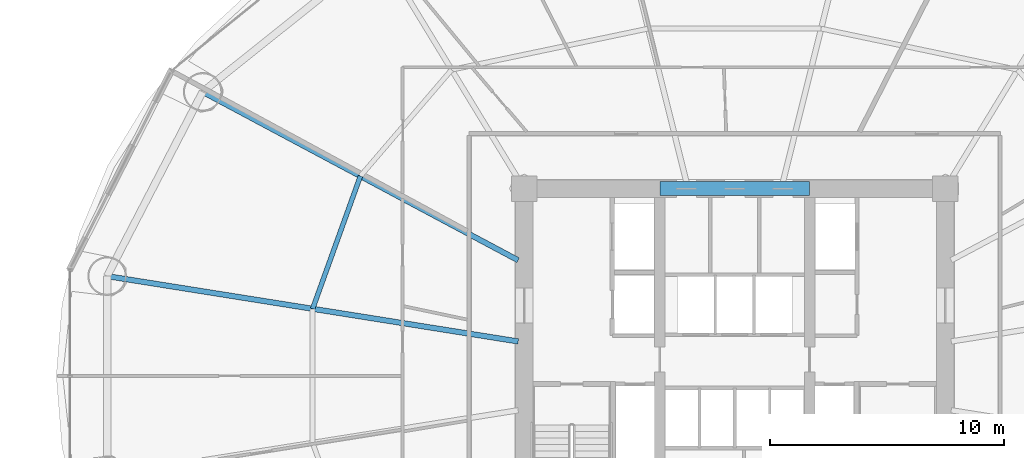
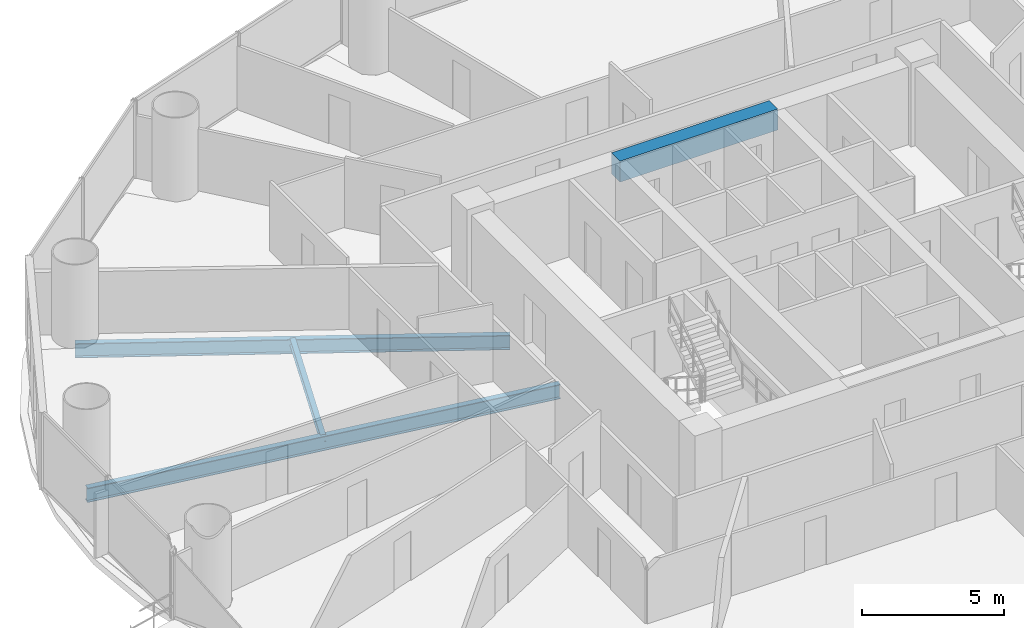
# One storey, part 9 of 29: 4 beams.
"""IFC4 building model written with IfcOpenShell, lengths in metres."""

from ifc_helpers import new_model, si_unit, direction, frame, origin, origin_2d, place, context, subcontext, project, spatial, rectangle, i_section, extrude, material, material_profile, profile_set, type_object, element, save


model = new_model("IFC4")

# Units and contexts
model_context = context("Model", 3, precision=1e-05, world=origin(), true_north=direction((-0.2419218956, 0.970295726276)))
body_context = subcontext(model_context, "Body", "Model", "MODEL_VIEW")
ifc_project = project(units=[si_unit("LENGTHUNIT", "METRE"), si_unit("AREAUNIT", "SQUARE_METRE"), si_unit("VOLUMEUNIT", "CUBIC_METRE"), si_unit("PLANEANGLEUNIT", "RADIAN"), si_unit("MASSUNIT", "GRAM", prefix="KILO")], contexts=[model_context])

# Site, building, storey
site_placement = place(None, origin())
site = spatial("IfcSite", under=ifc_project, at=site_placement, CompositionType="ELEMENT")
building_placement = place(site_placement, origin())
building = spatial("IfcBuilding", under=site, at=building_placement, Name="Cobrevalo Terracotta Tower", CompositionType="ELEMENT")
storey_placement = place(building_placement, frame((0.0, 0.0, 49.199951171875)))
storey = spatial("IfcBuildingStorey", under=building, at=storey_placement, Name="L12", CompositionType="ELEMENT", Elevation=49.199951171875)

# Beams
ifc_material_1 = material(Name="Concrete C60", Category="concrete")
ifc_material_profile_1 = material_profile(ifc_material_1, rectangle(XDim=0.60009765625, YDim=0.89990234375, at=origin_2d()), Name="RC CB 600x900")
ifc_profile_set_1 = profile_set([ifc_material_profile_1], Name="Concrete C60")
beam_type_1 = type_object("IfcBeamType", Name="Structural Beam RC CB 600x900 (Concrete C60)", PredefinedType="BEAM", material=ifc_profile_set_1)
beam_1_placement = place(storey_placement, frame((34.800048828125, 34.800048828125, 2.8701171875), z_axis=(1.0, 0.0, 0.0), x_axis=(0.0, 1.0, 0.0)))
element("IfcBeam", 1, at=beam_1_placement, inside=storey, type_object=beam_type_1, Name="L12 core coupling beam 2", PredefinedType="BEAM", context=body_context, shape_type="SweptSolid", body=[
    extrude(rectangle(XDim=0.60009765625, YDim=0.89990234375, at=origin_2d()), origin(), (0.0, 0.0, 1.0), 6.39990234375),
])
ifc_material_2 = material(Name="Steel S355", Category="steel")
ifc_material_profile_2 = material_profile(ifc_material_2, i_section(OverallWidth=0.22998046875, OverallDepth=0.616943359375, WebThickness=0.01318359375, FlangeThickness=0.022216796875, at=origin_2d()), Name="W 610x140")
ifc_profile_set_2 = profile_set([ifc_material_profile_2], Name="Steel S355")
beam_type_2 = type_object("IfcBeamType", Name="Structural Beam W 610x140 (Steel S355)", PredefinedType="BEAM", material=ifc_profile_set_2)
beam_2_placement = place(storey_placement, frame((15.25927734375, 38.939208984375, -0.58837890625), z_axis=(0.88218223571, -0.470908168329, 0.0), x_axis=(0.470908168329, 0.88218223571, 0.0)))
element("IfcBeam", 2, at=beam_2_placement, inside=storey, type_object=beam_type_2, Name="L12 radial floor girder 07", PredefinedType="BEAM", context=body_context, shape_type="SweptSolid", body=[
    extrude(i_section(OverallWidth=0.22998046875, OverallDepth=0.616943359375, WebThickness=0.01318359375, FlangeThickness=0.022216796875, at=origin_2d()), origin(), (0.0, 0.0, 1.0), 15.286865234375),
])
beam_3_placement = place(storey_placement, frame((11.175537109375, 31.062744140625, -0.58837890625), z_axis=(0.987607924622, -0.156941349628, 0.0), x_axis=(0.156941349628, 0.987607924622, 0.0)))
element("IfcBeam", 3, at=beam_3_placement, inside=storey, type_object=beam_type_2, Name="L12 radial floor girder 08", PredefinedType="BEAM", context=body_context, shape_type="SweptSolid", body=[
    extrude(i_section(OverallWidth=0.22998046875, OverallDepth=0.616943359375, WebThickness=0.01318359375, FlangeThickness=0.022216796875, at=origin_2d()), origin(), (0.0, 0.0, 1.0), 17.7900390625),
])
ifc_material_profile_3 = material_profile(ifc_material_2, i_section(OverallWidth=0.2041015625, OverallDepth=0.305908203125, WebThickness=0.008544921875, FlangeThickness=0.0146484375, at=origin_2d()), Name="W 310x67")
ifc_profile_set_3 = profile_set([ifc_material_profile_3], Name="Steel S355")
beam_type_3 = type_object("IfcBeamType", Name="Structural Joist W 310x67 (Steel S355)", PredefinedType="JOIST", material=ifc_profile_set_3)
beam_4_placement = place(storey_placement, frame((22.002197265625, 35.33984375, -0.432861328125), z_axis=(-0.338672151116, -0.940904444701, 0.0), x_axis=(0.940904444701, -0.338672151116, 0.0)))
element("IfcBeam", 4, at=beam_4_placement, inside=storey, type_object=beam_type_3, Name="L12 circumferential secondary floor joist 07", PredefinedType="JOIST", context=body_context, shape_type="SweptSolid", body=[
    extrude(i_section(OverallWidth=0.2041015625, OverallDepth=0.305908203125, WebThickness=0.008544921875, FlangeThickness=0.0146484375, at=origin_2d()), origin(), (0.0, 0.0, 1.0), 6.029296875),
])

save(model, "model.ifc")
